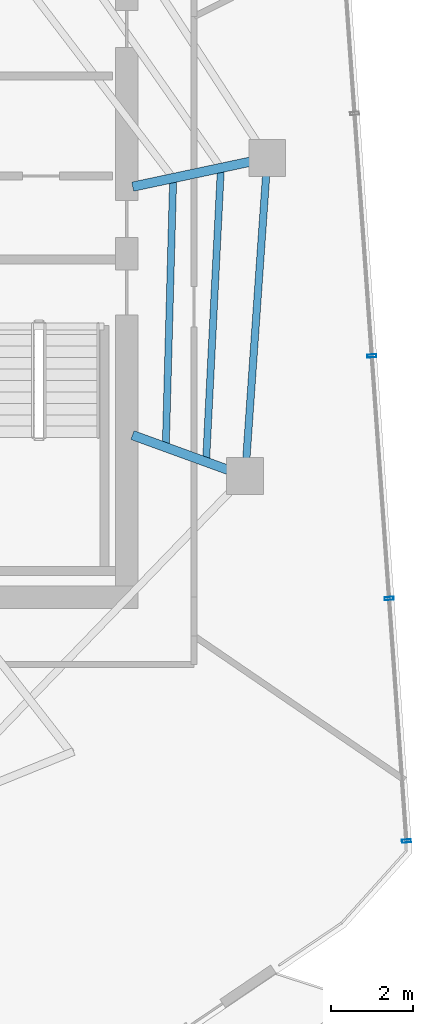
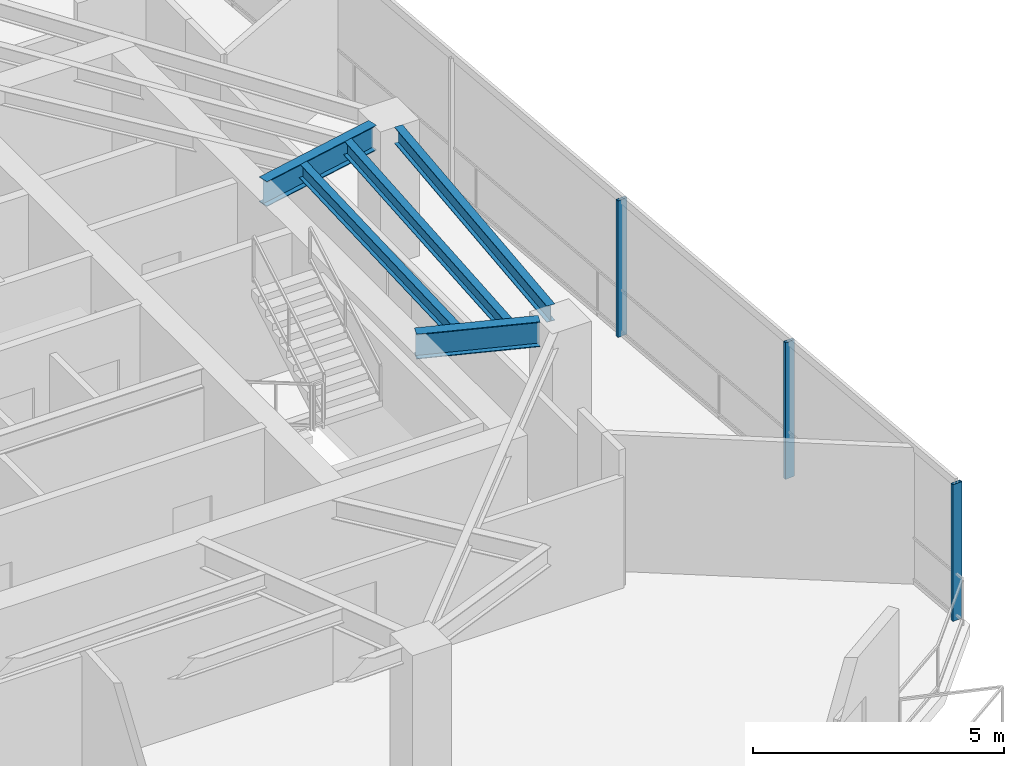
# One storey, part 9 of 20: 5 beams, 3 members, 1 element without a shape of its own.
"""IFC4 building model written with IfcOpenShell, lengths in metres."""

from ifc_helpers import new_model, si_unit, direction, frame, origin, origin_2d, place, context, subcontext, project, spatial, hollow_rectangle, i_section, extrude, material, layer, layer_set, material_profile, profile_set, type_object, element, aggregate, save


model = new_model("IFC4")

# Units and contexts
model_context = context("Model", 3, precision=1e-05, world=origin(), true_north=direction((0.0, 1.0)))
body_context = subcontext(model_context, "Body", "Model", "MODEL_VIEW")
ifc_project = project(units=[si_unit("LENGTHUNIT", "METRE"), si_unit("AREAUNIT", "SQUARE_METRE"), si_unit("VOLUMEUNIT", "CUBIC_METRE"), si_unit("PLANEANGLEUNIT", "RADIAN"), si_unit("MASSUNIT", "GRAM", prefix="KILO")], contexts=[model_context])

# Site, building, storey
site_placement = place(None, origin())
site = spatial("IfcSite", under=ifc_project, at=site_placement, CompositionType="ELEMENT")
building_placement = place(site_placement, origin())
building = spatial("IfcBuilding", under=site, at=building_placement, Name="Qarnah Convention Tower", CompositionType="ELEMENT")
storey_placement = place(building_placement, frame((0.0, 0.0, 195.0)))
storey = spatial("IfcBuildingStorey", under=building, at=storey_placement, Name="L52", CompositionType="ELEMENT", Elevation=195.0)

# Beams
ifc_material_1 = material(Name="Structural steel S355JR", Category="steel")
ifc_material_profile_1 = material_profile(ifc_material_1, i_section(OverallWidth=0.172119140625, OverallDepth=0.35595703125, WebThickness=0.007080078125, FlangeThickness=0.011962890625, at=origin_2d()), Name="W360X51")
ifc_profile_set_1 = profile_set([ifc_material_profile_1], Name="Structural steel S355JR")
beam_type_1 = type_object("IfcBeamType", Name="BM-JST-W360", PredefinedType="JOIST", material=ifc_profile_set_1)
beam_1_placement = place(storey_placement, frame((49.5458984375, 21.998046875, 3.14208984375), z_axis=(0.050414487477, 0.998728381219, 0.0), x_axis=(-0.998728381219, 0.050414487477, 0.0)))
element("IfcBeam", 1, at=beam_1_placement, inside=storey, type_object=beam_type_1, Name="L52 joist BM-L52-SJST-09", PredefinedType="JOIST", context=body_context, shape_type="SweptSolid", body=[
    extrude(i_section(OverallWidth=0.172119140625, OverallDepth=0.35595703125, WebThickness=0.007080078125, FlangeThickness=0.011962890625, at=origin_2d()), origin(), (0.0, 0.0, 1.0), 7.02197265625),
])
beam_2_placement = place(storey_placement, frame((48.55810546875, 22.35595703125, 3.14208984375), z_axis=(0.027429745352, 0.999623733747, 0.0), x_axis=(-0.999623733747, 0.027429745352, 0.0)))
element("IfcBeam", 2, at=beam_2_placement, inside=storey, type_object=beam_type_1, Name="L52 joist BM-L52-IJST-09", PredefinedType="JOIST", context=body_context, shape_type="SweptSolid", body=[
    extrude(i_section(OverallWidth=0.172119140625, OverallDepth=0.35595703125, WebThickness=0.007080078125, FlangeThickness=0.011962890625, at=origin_2d()), origin(), (0.0, 0.0, 1.0), 6.408447265625),
])
ifc_material_profile_2 = material_profile(ifc_material_1, i_section(OverallWidth=0.22802734375, OverallDepth=0.60791015625, WebThickness=0.010986328125, FlangeThickness=0.01708984375, at=origin_2d()), Name="W610X113")
ifc_profile_set_2 = profile_set([ifc_material_profile_2], Name="Structural steel S355JR")
beam_type_2 = type_object("IfcBeamType", Name="BM-RAD-W610B", PredefinedType="BEAM", material=ifc_profile_set_2)
beam_3_placement = place(storey_placement, frame((47.7470703125, 28.64208984375, 3.01611328125), z_axis=(0.978136876062, 0.207962140033, 0.0), x_axis=(-0.207962140033, 0.978136876062, 0.0)))
element("IfcBeam", 3, at=beam_3_placement, inside=storey, type_object=beam_type_2, Name="L52 beam BM-L52-RAD-01", PredefinedType="BEAM", context=body_context, shape_type="SweptSolid", body=[
    extrude(i_section(OverallWidth=0.22802734375, OverallDepth=0.60791015625, WebThickness=0.010986328125, FlangeThickness=0.01708984375, at=origin_2d()), origin(), (0.0, 0.0, 1.0), 2.937255859375),
])
beam_4_placement = place(storey_placement, frame((47.740966796875, 22.56298828125, 3.01611328125), z_axis=(0.939707956932, -0.341978004671, 0.0), x_axis=(0.341978004671, 0.939707956932, 0.0)))
element("IfcBeam", 4, at=beam_4_placement, inside=storey, type_object=beam_type_2, Name="L52 beam BM-L52-RAD-09", PredefinedType="BEAM", context=body_context, shape_type="SweptSolid", body=[
    extrude(i_section(OverallWidth=0.22802734375, OverallDepth=0.60791015625, WebThickness=0.010986328125, FlangeThickness=0.01708984375, at=origin_2d()), origin(), (0.0, 0.0, 1.0), 2.5029296875),
])
ifc_material_profile_3 = material_profile(ifc_material_1, i_section(OverallWidth=0.179931640625, OverallDepth=0.39990234375, WebThickness=0.009033203125, FlangeThickness=0.013916015625, at=origin_2d()), Name="IPE400")
ifc_profile_set_3 = profile_set([ifc_material_profile_3], Name="Structural steel S355JR")
beam_type_3 = type_object("IfcBeamType", Name="BM-SPN-IPE400", PredefinedType="SPANDREL", material=ifc_profile_set_3)
beam_5_placement = place(storey_placement, frame((50.528076171875, 21.9990234375, 3.1201171875), z_axis=(0.069635000818, 0.997572537042, 0.0), x_axis=(-0.997572537042, 0.069635000818, 0.0)))
element("IfcBeam", 5, at=beam_5_placement, inside=storey, type_object=beam_type_3, Name="L52 spandrel BM-L52-SPN-09", PredefinedType="SPANDREL", context=body_context, shape_type="SweptSolid", body=[
    extrude(i_section(OverallWidth=0.179931640625, OverallDepth=0.39990234375, WebThickness=0.009033203125, FlangeThickness=0.013916015625, at=origin_2d()), origin(), (0.0, 0.0, 1.0), 6.9208984375),
])

# Curtain wall, members
ifc_material_2 = material(Name="Tempered Low-E dark glass", Category="glass")
ifc_layer = layer(ifc_material_2, 0.174072265625)
ifc_layer_set = layer_set([ifc_layer], Name="Tempered Low-E dark glass")
curtain_wall_type = type_object("IfcCurtainWallType", Name="CWS-04", PredefinedType="NOTDEFINED", material=ifc_layer_set)
curtain_wall_placement = place(storey_placement, origin())
curtain_wall = element("IfcCurtainWall", 6, at=curtain_wall_placement, inside=storey, type_object=curtain_wall_type, Name="L52 unitised curtain wall CW-L52-F3", PredefinedType="NOTDEFINED")
ifc_material_3 = material(Name="Black anodised aluminium", Category="aluminium")
ifc_material_profile_4 = material_profile(ifc_material_3, hollow_rectangle(XDim=0.074951171875, YDim=0.219970703125, WallThickness=0.0048828125, at=origin_2d()), Name="MUL-75X220")
ifc_profile_set_4 = profile_set([ifc_material_profile_4], Name="Black anodised aluminium")
member_type = type_object("IfcMemberType", Name="MUL-T4", PredefinedType="MULLION", material=ifc_profile_set_4)
member_1_placement = place(storey_placement, frame((53.59765625, 24.50048828125, 0.0), z_axis=(0.0, 0.0, 1.0), x_axis=(0.071127610581, -0.997467224029, 0.0)))
member_1 = element("IfcMember", 7, at=member_1_placement, type_object=member_type, Name="CW-L52-F3 mullion 4", PredefinedType="MULLION", context=body_context, shape_type="SweptSolid", body=[
    extrude(hollow_rectangle(XDim=0.074951171875, YDim=0.219970703125, WallThickness=0.0048828125, at=origin_2d()), origin(), (0.0, 0.0, 1.0), 3.320068359375),
])
member_2_placement = place(storey_placement, frame((54.020751953125, 18.56591796875, 0.0), z_axis=(0.0, 0.0, 1.0), x_axis=(0.071127610581, -0.997467224029, 0.0)))
member_2 = element("IfcMember", 8, at=member_2_placement, type_object=member_type, Name="CW-L52-F3 mullion 5", PredefinedType="MULLION", context=body_context, shape_type="SweptSolid", body=[
    extrude(hollow_rectangle(XDim=0.074951171875, YDim=0.219970703125, WallThickness=0.0048828125, at=origin_2d()), origin(), (0.0, 0.0, 1.0), 3.320068359375),
])
member_3_placement = place(storey_placement, frame((54.444091796875, 12.631103515625, 0.0), z_axis=(0.0, 0.0, 1.0), x_axis=(0.071127610581, -0.997467224029, 0.0)))
member_3 = element("IfcMember", 9, at=member_3_placement, type_object=member_type, Name="CW-L52-F3 mullion 6", PredefinedType="MULLION", context=body_context, shape_type="SweptSolid", body=[
    extrude(hollow_rectangle(XDim=0.074951171875, YDim=0.219970703125, WallThickness=0.0048828125, at=origin_2d()), origin(), (0.0, 0.0, 1.0), 3.320068359375),
])
aggregate(curtain_wall, [member_1, member_2, member_3])

save(model, "model.ifc")
